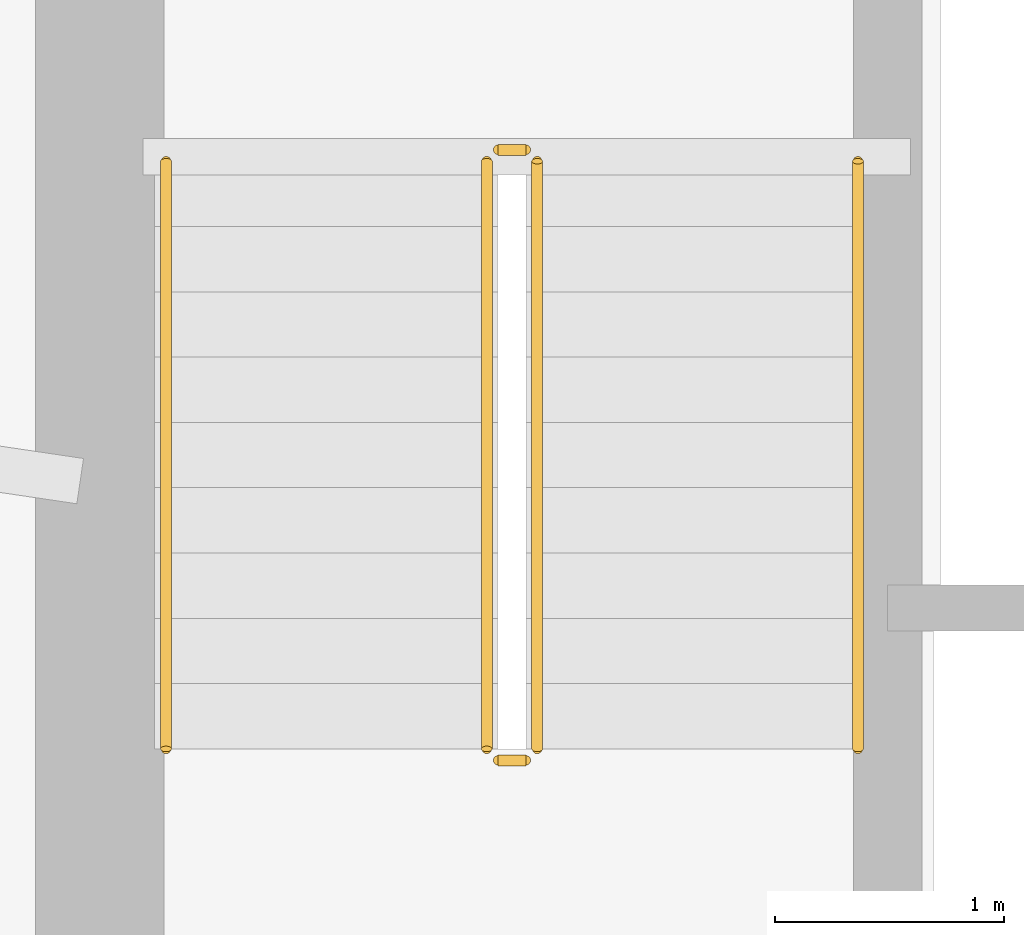
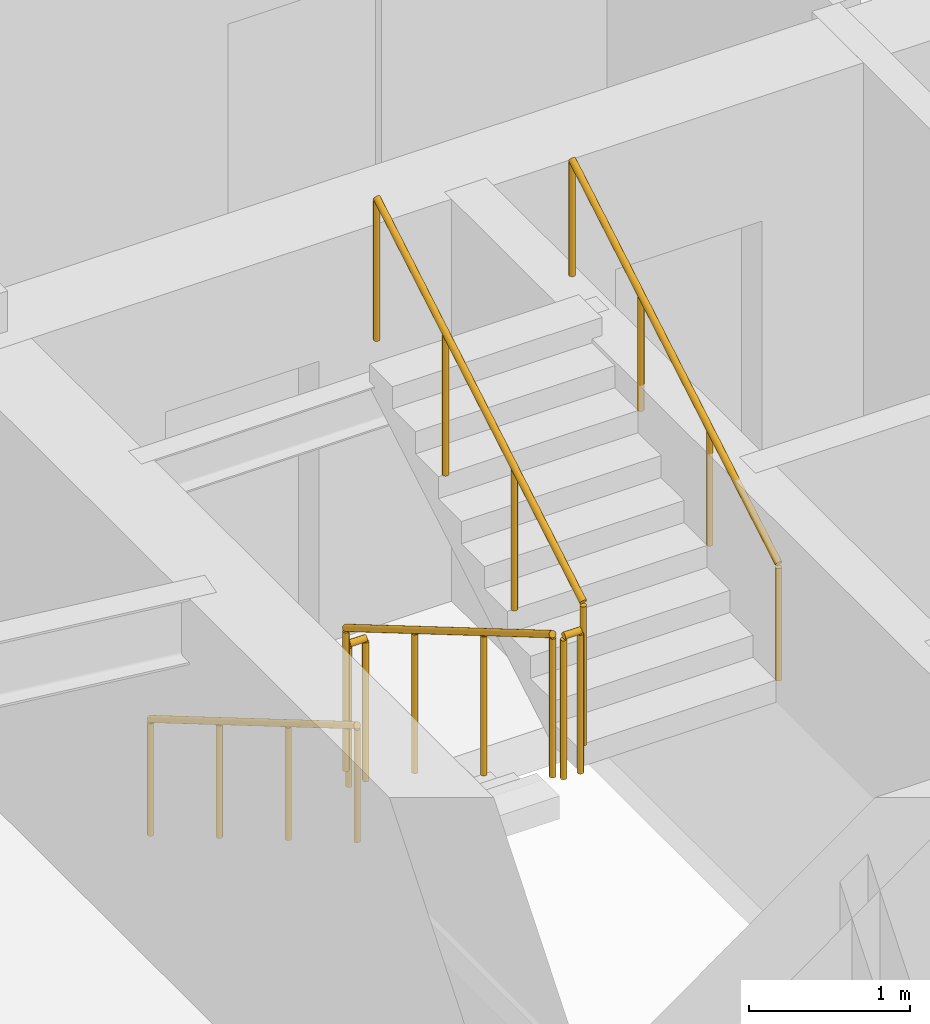
# One storey, part 21 of 22: 6 railings.
"""IFC4 building model written with IfcOpenShell, lengths in metres."""

from ifc_helpers import new_model, si_unit, direction, frame, origin, origin_2d, place, context, subcontext, project, spatial, circle, extrude, material, type_object, element, save


model = new_model("IFC4")

# Units and contexts
model_context = context("Model", 3, precision=1e-05, world=origin(), true_north=direction((0.0, 1.0)))
body_context = subcontext(model_context, "Body", "Model", "MODEL_VIEW")
ifc_project = project(units=[si_unit("LENGTHUNIT", "METRE"), si_unit("AREAUNIT", "SQUARE_METRE"), si_unit("VOLUMEUNIT", "CUBIC_METRE"), si_unit("PLANEANGLEUNIT", "RADIAN"), si_unit("MASSUNIT", "GRAM", prefix="KILO")], contexts=[model_context])

# Site, building, storey
site_placement = place(None, origin())
site = spatial("IfcSite", under=ifc_project, at=site_placement, CompositionType="ELEMENT")
building_placement = place(site_placement, origin())
building = spatial("IfcBuilding", under=site, at=building_placement, Name="Qobustan Lattice House", CompositionType="ELEMENT")
storey_placement = place(building_placement, frame((0.0, 0.0, 99.10009765625)))
storey = spatial("IfcBuildingStorey", under=building, at=storey_placement, Name="L27", CompositionType="ELEMENT", Elevation=99.10009765625)

# Railings
ifc_material_1 = material(Name="Brushed stainless steel handrail", Category="steel")
railing_type_1 = type_object("IfcRailingType", Name="RAL-HR-920", PredefinedType="HANDRAIL", material=ifc_material_1)
railing_1_placement = place(storey_placement, frame((-18.199951171875, 3.5, 0.16748046875)))
element("IfcRailing", 1, at=railing_1_placement, inside=storey, type_object=railing_type_1, Name="L27 ST-W1 stair handrail 1", PredefinedType="HANDRAIL", context=body_context, shape_type="SweptSolid", body=[
    extrude(circle(Radius=0.02392578125, at=origin_2d()), frame((0.0, 0.0, 0.8759765625), z_axis=(0.0, -0.862149314443, 0.506654280161), x_axis=(1.0, 0.0, 0.0)), (0.0, 0.0, 1.0), 2.97509765625),
    extrude(circle(Radius=0.02099609375, at=origin_2d()), origin(), (0.0, 0.0, 1.0), 0.851806640625),
    extrude(circle(Radius=0.02099609375, at=origin_2d()), frame((0.0, -0.85498046875, 0.50244140625)), (0.0, 0.0, 1.0), 0.851806640625),
    extrude(circle(Radius=0.02099609375, at=origin_2d()), frame((0.0, -1.7099609375, 1.0048828125)), (0.0, 0.0, 1.0), 0.851806640625),
    extrude(circle(Radius=0.02099609375, at=origin_2d()), frame((0.0, -2.56494140625, 1.50732421875)), (0.0, 0.0, 1.0), 0.851806640625),
])
railing_2_placement = place(storey_placement, frame((-15.179931640625, 0.93505859375, 1.84228515625)))
element("IfcRailing", 2, at=railing_2_placement, inside=storey, type_object=railing_type_1, Name="L27 ST-W1 stair handrail 2", PredefinedType="HANDRAIL", context=body_context, shape_type="SweptSolid", body=[
    extrude(circle(Radius=0.02392578125, at=origin_2d()), frame((0.0, 0.0, 0.8759765625), z_axis=(0.0, 0.862113467892, 0.50671527358), x_axis=(-1.0, 0.0, 0.0)), (0.0, 0.0, 1.0), 2.97509765625),
    extrude(circle(Radius=0.02099609375, at=origin_2d()), origin(), (0.0, 0.0, 1.0), 0.851806640625),
    extrude(circle(Radius=0.02099609375, at=origin_2d()), frame((0.0, 0.85498046875, 0.50244140625)), (0.0, 0.0, 1.0), 0.851806640625),
    extrude(circle(Radius=0.02099609375, at=origin_2d()), frame((0.0, 1.7099609375, 1.005126953125)), (0.0, 0.0, 1.0), 0.851806640625),
    extrude(circle(Radius=0.02099609375, at=origin_2d()), frame((0.0, 2.56494140625, 1.507568359375)), (0.0, 0.0, 1.0), 0.851806640625),
])
ifc_material_2 = material(Name="Painted galvanized steel guardrail", Category="steel")
railing_type_2 = type_object("IfcRailingType", Name="RAL-STG-1150", PredefinedType="GUARDRAIL", material=ifc_material_2)
railing_3_placement = place(storey_placement, frame((-16.800048828125, 3.5, 0.16748046875)))
element("IfcRailing", 3, at=railing_3_placement, inside=storey, type_object=railing_type_2, Name="L27 ST-W1 stair guard 1", PredefinedType="GUARDRAIL", context=body_context, shape_type="SweptSolid", body=[
    extrude(circle(Radius=0.02392578125, at=origin_2d()), frame((0.0, 0.0, 1.076171875), z_axis=(0.0, -0.862149314443, 0.506654280161), x_axis=(1.0, 0.0, 0.0)), (0.0, 0.0, 1.0), 2.97509765625),
    extrude(circle(Radius=0.02099609375, at=origin_2d()), origin(), (0.0, 0.0, 1.0), 1.052001953125),
    extrude(circle(Radius=0.02099609375, at=origin_2d()), frame((0.0, -0.85498046875, 0.50244140625)), (0.0, 0.0, 1.0), 1.052001953125),
    extrude(circle(Radius=0.02099609375, at=origin_2d()), frame((0.0, -1.7099609375, 1.0048828125)), (0.0, 0.0, 1.0), 1.052001953125),
    extrude(circle(Radius=0.02099609375, at=origin_2d()), frame((0.0, -2.56494140625, 1.50732421875)), (0.0, 0.0, 1.0), 1.052001953125),
])
railing_4_placement = place(storey_placement, frame((-16.75, 0.885009765625, 1.6748046875)))
element("IfcRailing", 4, at=railing_4_placement, inside=storey, type_object=railing_type_2, Name="L27 ST-W1 stair guard 2", PredefinedType="GUARDRAIL", context=body_context, shape_type="SweptSolid", body=[
    extrude(circle(Radius=0.02392578125, at=origin_2d()), frame((0.0, 0.0, 1.076171875), z_axis=(1.0, 0.0, 0.0), x_axis=(0.0, 1.0, 0.0)), (0.0, 0.0, 1.0), 0.1201171875),
    extrude(circle(Radius=0.02099609375, at=origin_2d()), origin(), (0.0, 0.0, 1.0), 1.052001953125),
    extrude(circle(Radius=0.02099609375, at=origin_2d()), frame((0.1201171875, 0.0, 0.0)), (0.0, 0.0, 1.0), 1.052001953125),
])
railing_5_placement = place(storey_placement, frame((-16.580078125, 0.93505859375, 1.84228515625)))
element("IfcRailing", 5, at=railing_5_placement, inside=storey, type_object=railing_type_2, Name="L27 ST-W1 stair guard 3", PredefinedType="GUARDRAIL", context=body_context, shape_type="SweptSolid", body=[
    extrude(circle(Radius=0.02392578125, at=origin_2d()), frame((0.0, 0.0, 1.076171875), z_axis=(0.0, 0.862113467892, 0.50671527358), x_axis=(-1.0, 0.0, 0.0)), (0.0, 0.0, 1.0), 2.97509765625),
    extrude(circle(Radius=0.02099609375, at=origin_2d()), origin(), (0.0, 0.0, 1.0), 1.052001953125),
    extrude(circle(Radius=0.02099609375, at=origin_2d()), frame((0.0, 0.85498046875, 0.50244140625)), (0.0, 0.0, 1.0), 1.052001953125),
    extrude(circle(Radius=0.02099609375, at=origin_2d()), frame((0.0, 1.7099609375, 1.005126953125)), (0.0, 0.0, 1.0), 1.052001953125),
    extrude(circle(Radius=0.02099609375, at=origin_2d()), frame((0.0, 2.56494140625, 1.507568359375)), (0.0, 0.0, 1.0), 1.052001953125),
])
railing_6_placement = place(storey_placement, frame((-16.75, 3.550048828125, 0.0)))
element("IfcRailing", 6, at=railing_6_placement, inside=storey, type_object=railing_type_2, Name="L27 ST-W1 stair guard 4", PredefinedType="GUARDRAIL", context=body_context, shape_type="SweptSolid", body=[
    extrude(circle(Radius=0.02392578125, at=origin_2d()), frame((0.0, 0.0, 1.076171875), z_axis=(1.0, 0.0, 0.0), x_axis=(0.0, 1.0, 0.0)), (0.0, 0.0, 1.0), 0.1201171875),
    extrude(circle(Radius=0.02099609375, at=origin_2d()), origin(), (0.0, 0.0, 1.0), 1.052001953125),
    extrude(circle(Radius=0.02099609375, at=origin_2d()), frame((0.1201171875, 0.0, 0.0)), (0.0, 0.0, 1.0), 1.052001953125),
])

save(model, "model.ifc")
